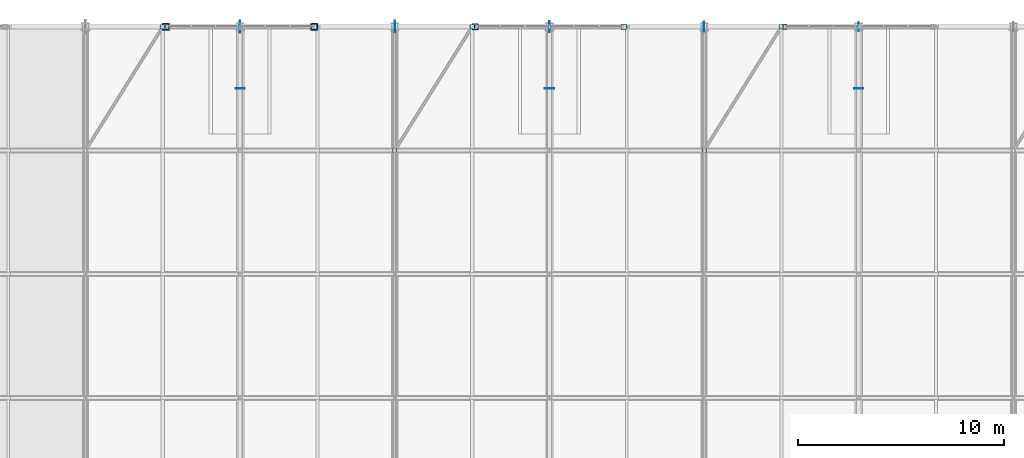
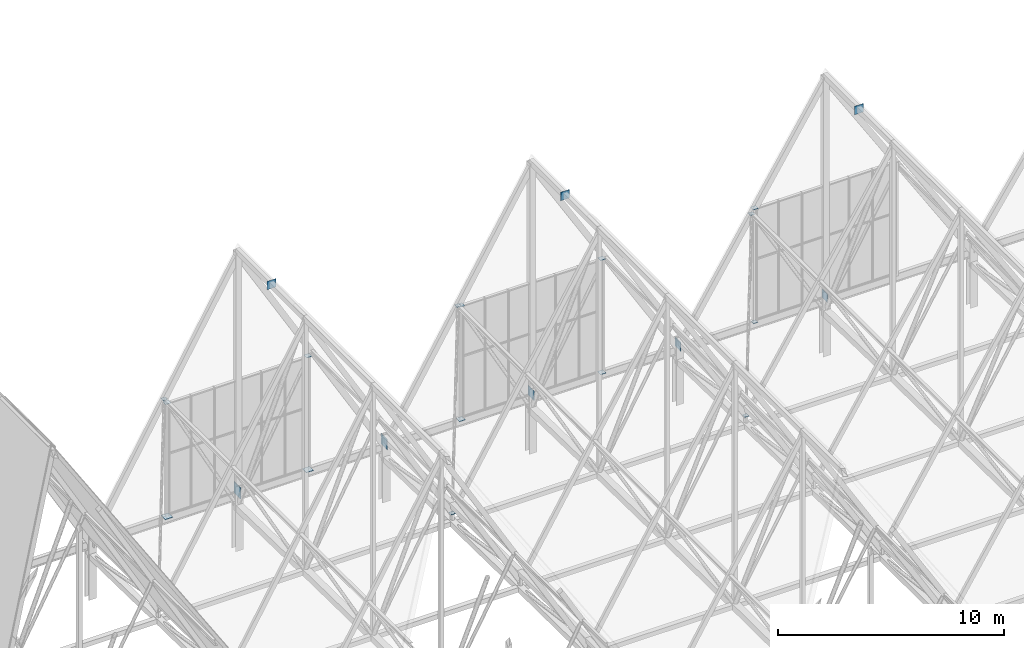
# One storey, part 302 of 324: 23 plates.
"""IFC4 building model written with IfcOpenShell, lengths in metres."""

from ifc_helpers import new_model, si_unit, direction, frame, origin, origin_2d, place, context, subcontext, project, spatial, rectangle, extrude, material, layer, layer_set, type_object, element, save


model = new_model("IFC4")

# Units and contexts
model_context = context("Model", 3, precision=1e-05, world=origin(), true_north=direction((0.0, 1.0)))
body_context = subcontext(model_context, "Body", "Model", "MODEL_VIEW")
ifc_project = project(units=[si_unit("LENGTHUNIT", "METRE"), si_unit("AREAUNIT", "SQUARE_METRE"), si_unit("VOLUMEUNIT", "CUBIC_METRE"), si_unit("PLANEANGLEUNIT", "RADIAN"), si_unit("MASSUNIT", "GRAM", prefix="KILO")], contexts=[model_context])

# Site, building, storey
site_placement = place(None, origin())
site = spatial("IfcSite", under=ifc_project, at=site_placement, CompositionType="ELEMENT")
building_placement = place(site_placement, origin())
building = spatial("IfcBuilding", under=site, at=building_placement, Name="Solvenia Promenade Tram Depot", CompositionType="ELEMENT")
storey_placement = place(building_placement, frame((0.0, 0.0, 4.5)))
storey = spatial("IfcBuildingStorey", under=building, at=storey_placement, Name="L01", CompositionType="ELEMENT", Elevation=4.5)

# Plates
ifc_material = material(Name="Structural steel ASTM A572 Gr. 50", Category="steel")
ifc_layer_1 = layer(ifc_material, 0.013916015625, Name="Structural steel ASTM A572 Gr. 50", Category="steel")
ifc_layer_set_1 = layer_set([ifc_layer_1], Name="Structural steel ASTM A572 Gr. 50")
plate_type_1 = type_object("IfcPlateType", Name="EndCap-CP10", PredefinedType="SHEET", material=ifc_layer_set_1)
plate_1_placement = place(storey_placement, frame((123.89990234375, 126.0, 2.9931640625), z_axis=(0.0, 0.0, 1.0), x_axis=(1.0, 0.0, 0.0)))
element("IfcPlate", 1, at=plate_1_placement, inside=storey, type_object=plate_type_1, Name="Gable Jamb Bottom Cap Plate 033", PredefinedType="SHEET", context=body_context, shape_type="SweptSolid", body=[
    extrude(rectangle(XDim=0.219970703125, YDim=0.219970703125, at=origin_2d()), origin(), (0.0, 0.0, 1.0), 0.013916015625),
])
ifc_layer_2 = layer(ifc_material, 0.02197265625, Name="Structural steel ASTM A572 Gr. 50", Category="steel")
ifc_layer_set_2 = layer_set([ifc_layer_2], Name="Structural steel ASTM A572 Gr. 50")
plate_type_2 = type_object("IfcPlateType", Name="EndCap-CP2", PredefinedType="SHEET", material=ifc_layer_set_2)
plate_2_placement = place(storey_placement, frame((93.89990234375, 126.0, 2.989013671875), z_axis=(0.0, 0.0, 1.0), x_axis=(1.0, 0.0, 0.0)))
element("IfcPlate", 2, at=plate_2_placement, inside=storey, type_object=plate_type_2, Name="Gable Jamb Bottom Cap Plate 025", PredefinedType="SHEET", context=body_context, shape_type="SweptSolid", body=[
    extrude(rectangle(XDim=0.3798828125, YDim=0.3798828125, at=origin_2d()), origin(), (0.0, 0.0, 1.0), 0.02197265625),
])
ifc_layer_3 = layer(ifc_material, 0.02099609375, Name="Structural steel ASTM A572 Gr. 50", Category="steel")
ifc_layer_set_3 = layer_set([ifc_layer_3], Name="Structural steel ASTM A572 Gr. 50")
plate_type_3 = type_object("IfcPlateType", Name="EndCap-CP3", PredefinedType="SHEET", material=ifc_layer_set_3)
plate_3_placement = place(storey_placement, frame((101.10009765625, 126.0, 2.989501953125), z_axis=(0.0, 0.0, 1.0), x_axis=(1.0, 0.0, 0.0)))
element("IfcPlate", 3, at=plate_3_placement, inside=storey, type_object=plate_type_3, Name="Gable Jamb Bottom Cap Plate 026", PredefinedType="SHEET", context=body_context, shape_type="SweptSolid", body=[
    extrude(rectangle(XDim=0.360107421875, YDim=0.360107421875, at=origin_2d()), origin(), (0.0, 0.0, 1.0), 0.02099609375),
])
ifc_layer_4 = layer(ifc_material, 0.02001953125, Name="Structural steel ASTM A572 Gr. 50", Category="steel")
ifc_layer_set_4 = layer_set([ifc_layer_4], Name="Structural steel ASTM A572 Gr. 50")
plate_type_4 = type_object("IfcPlateType", Name="EndCap-CP4", PredefinedType="SHEET", material=ifc_layer_set_4)
for number, where, z_axis, x_axis, name in (
    (4, (93.89990234375, 126.0, 9.141845703125), (0.0, 0.0, 1.0), (1.0, 0.0, 0.0), "Gable Jamb Top Cap Plate 025"),
    (5, (101.10009765625, 126.0, 9.141845703125), (0.0, 0.0, 1.0), (1.0, 0.0, 0.0), "Gable Jamb Top Cap Plate 026"),
    (6, (108.89990234375, 126.0, 9.141845703125), (0.0, 0.0, 1.0), (1.0, 0.0, 0.0), "Gable Jamb Top Cap Plate 029"),
    (7, (116.10009765625, 126.0, 9.141845703125), (0.0, 0.0, 1.0), (1.0, 0.0, 0.0), "Gable Jamb Top Cap Plate 030"),
    (8, (123.89990234375, 126.0, 9.141845703125), (0.0, 0.0, 1.0), (1.0, 0.0, 0.0), "Gable Jamb Top Cap Plate 033"),
):
    element("IfcPlate", number, at=place(storey_placement, frame(where, z_axis=z_axis, x_axis=x_axis)), inside=storey, type_object=plate_type_4, Name=name, PredefinedType="SHEET", context=body_context, shape_type="SweptSolid", body=[
        extrude(rectangle(XDim=0.260009765625, YDim=0.260009765625, at=origin_2d()), origin(), (0.0, 0.0, 1.0), 0.01611328125),
    ])
ifc_layer_5 = layer(ifc_material, 0.01904296875, Name="Structural steel ASTM A572 Gr. 50", Category="steel")
ifc_layer_set_5 = layer_set([ifc_layer_5], Name="Structural steel ASTM A572 Gr. 50")
plate_type_5 = type_object("IfcPlateType", Name="EndCap-CP5", PredefinedType="SHEET", material=ifc_layer_set_5)
for number, where, z_axis, x_axis, name in (
    (9, (93.75, 126.0, 9.380615234375), (0.0, 0.0, 1.0), (1.0, 0.0, 0.0), "Roof Brace Node Plate 014B"),
    (10, (105.0, 120.0, 2.920654296875), (0.0, 0.0, 1.0), (1.0, 0.0, 0.0), "Roof Brace Node Plate 016A"),
    (11, (108.75, 126.0, 9.169189453125), (0.0, 0.0, 1.0), (1.0, 0.0, 0.0), "Roof Brace Node Plate 016B"),
    (12, (120.0, 120.0, 2.93310546875), (0.0, 0.0, 1.0), (1.0, 0.0, 0.0), "Roof Brace Node Plate 018A"),
    (13, (123.75, 126.0, 8.878173828125), (0.0, 0.0, 1.0), (1.0, 0.0, 0.0), "Roof Brace Node Plate 018B"),
):
    element("IfcPlate", number, at=place(storey_placement, frame(where, z_axis=z_axis, x_axis=x_axis)), inside=storey, type_object=plate_type_5, Name=name, PredefinedType="SHEET", context=body_context, shape_type="SweptSolid", body=[
        extrude(rectangle(XDim=0.219970703125, YDim=0.219970703125, at=origin_2d()), origin(), (0.0, 0.0, 1.0), 0.01904296875),
    ])
ifc_layer_6 = layer(ifc_material, 0.01806640625, Name="Structural steel ASTM A572 Gr. 50", Category="steel")
ifc_layer_set_6 = layer_set([ifc_layer_6], Name="Structural steel ASTM A572 Gr. 50")
plate_type_6 = type_object("IfcPlateType", Name="EndCap-CP6", PredefinedType="SHEET", material=ifc_layer_set_6)
plate_4_placement = place(storey_placement, frame((108.89990234375, 126.0, 2.990966796875), z_axis=(0.0, 0.0, 1.0), x_axis=(1.0, 0.0, 0.0)))
element("IfcPlate", 14, at=plate_4_placement, inside=storey, type_object=plate_type_6, Name="Gable Jamb Bottom Cap Plate 029", PredefinedType="SHEET", context=body_context, shape_type="SweptSolid", body=[
    extrude(rectangle(XDim=0.300048828125, YDim=0.300048828125, at=origin_2d()), origin(), (0.0, 0.0, 1.0), 0.01806640625),
])
ifc_layer_7 = layer(ifc_material, 0.01708984375, Name="Structural steel ASTM A572 Gr. 50", Category="steel")
ifc_layer_set_7 = layer_set([ifc_layer_7], Name="Structural steel ASTM A572 Gr. 50")
plate_type_7 = type_object("IfcPlateType", Name="EndCap-CP7", PredefinedType="SHEET", material=ifc_layer_set_7)
plate_5_placement = place(storey_placement, frame((116.10009765625, 126.0, 2.991455078125), z_axis=(0.0, 0.0, 1.0), x_axis=(1.0, 0.0, 0.0)))
element("IfcPlate", 15, at=plate_5_placement, inside=storey, type_object=plate_type_7, Name="Gable Jamb Bottom Cap Plate 030", PredefinedType="SHEET", context=body_context, shape_type="SweptSolid", body=[
    extrude(rectangle(XDim=0.280029296875, YDim=0.280029296875, at=origin_2d()), origin(), (0.0, 0.0, 1.0), 0.01708984375),
])
ifc_layer_8 = layer(ifc_material, 0.02490234375, Name="Structural steel ASTM A572 Gr. 50", Category="steel")
ifc_layer_set_8 = layer_set([ifc_layer_8], Name="Structural steel ASTM A572 Gr. 50")
plate_type_8 = type_object("IfcPlateType", Name="Gusset-GP3", PredefinedType="USERDEFINED", material=ifc_layer_set_8)
plate_6_placement = place(storey_placement, frame((97.5, 126.0, 2.849853515625), z_axis=(0.0, 0.0, 1.0), x_axis=(1.0, 0.0, 0.0)))
element("IfcPlate", 16, at=plate_6_placement, inside=storey, type_object=plate_type_8, Name="Arched Truss Shoe Gusset 14N", ObjectType="GUSSET PLATE", PredefinedType="USERDEFINED", context=body_context, shape_type="SweptSolid", body=[
    extrude(rectangle(XDim=0.02490234375, YDim=0.60009765625, at=origin_2d()), origin(), (0.0, 0.0, 1.0), 0.60009765625),
])
ifc_layer_9 = layer(ifc_material, 0.02392578125, Name="Structural steel ASTM A572 Gr. 50", Category="steel")
ifc_layer_set_9 = layer_set([ifc_layer_9], Name="Structural steel ASTM A572 Gr. 50")
plate_type_9 = type_object("IfcPlateType", Name="Gusset-GP4", PredefinedType="USERDEFINED", material=ifc_layer_set_9)
plate_7_placement = place(storey_placement, frame((97.5, 123.0, 15.86279296875), z_axis=(0.0, 0.0, 1.0), x_axis=(1.0, 0.0, 0.0)))
element("IfcPlate", 17, at=plate_7_placement, inside=storey, type_object=plate_type_9, Name="Ridge Node Gusset T14-S10", ObjectType="GUSSET PLATE", PredefinedType="USERDEFINED", context=body_context, shape_type="SweptSolid", body=[
    extrude(rectangle(XDim=0.449951171875, YDim=0.02001953125, at=origin_2d()), origin(), (0.0, 0.0, 1.0), 0.449951171875),
])
plate_8_placement = place(storey_placement, frame((105.0, 126.0, 2.869873046875), z_axis=(0.0, 0.0, 1.0), x_axis=(1.0, 0.0, 0.0)))
element("IfcPlate", 18, at=plate_8_placement, inside=storey, type_object=plate_type_9, Name="Arched Truss Shoe Gusset 15N", ObjectType="GUSSET PLATE", PredefinedType="USERDEFINED", context=body_context, shape_type="SweptSolid", body=[
    extrude(rectangle(XDim=0.02392578125, YDim=0.56005859375, at=origin_2d()), origin(), (0.0, 0.0, 1.0), 0.56005859375),
])
for number, where, z_axis, x_axis, name in (
    (19, (112.5, 123.0, 15.421875), (0.0, 0.0, 1.0), (1.0, 0.0, 0.0), "Ridge Node Gusset T16-S10"),
    (20, (127.5, 123.0, 14.81494140625), (0.0, 0.0, 1.0), (1.0, 0.0, 0.0), "Ridge Node Gusset T18-S10"),
):
    element("IfcPlate", number, at=place(storey_placement, frame(where, z_axis=z_axis, x_axis=x_axis)), inside=storey, type_object=plate_type_9, Name=name, ObjectType="GUSSET PLATE", PredefinedType="USERDEFINED", context=body_context, shape_type="SweptSolid", body=[
        extrude(rectangle(XDim=0.449951171875, YDim=0.02001953125, at=origin_2d()), origin(), (0.0, 0.0, 1.0), 0.449951171875),
    ])
ifc_layer_10 = layer(ifc_material, 0.02197265625, Name="Structural steel ASTM A572 Gr. 50", Category="steel")
ifc_layer_set_10 = layer_set([ifc_layer_10], Name="Structural steel ASTM A572 Gr. 50")
plate_type_10 = type_object("IfcPlateType", Name="Gusset-GP5", PredefinedType="USERDEFINED", material=ifc_layer_set_10)
plate_9_placement = place(storey_placement, frame((112.5, 126.0, 2.889892578125), z_axis=(0.0, 0.0, 1.0), x_axis=(1.0, 0.0, 0.0)))
element("IfcPlate", 21, at=plate_9_placement, inside=storey, type_object=plate_type_10, Name="Arched Truss Shoe Gusset 16N", ObjectType="GUSSET PLATE", PredefinedType="USERDEFINED", context=body_context, shape_type="SweptSolid", body=[
    extrude(rectangle(XDim=0.02197265625, YDim=0.52001953125, at=origin_2d()), origin(), (0.0, 0.0, 1.0), 0.52001953125),
])
ifc_layer_11 = layer(ifc_material, 0.02099609375, Name="Structural steel ASTM A572 Gr. 50", Category="steel")
ifc_layer_set_11 = layer_set([ifc_layer_11], Name="Structural steel ASTM A572 Gr. 50")
plate_type_11 = type_object("IfcPlateType", Name="Gusset-GP6", PredefinedType="USERDEFINED", material=ifc_layer_set_11)
plate_10_placement = place(storey_placement, frame((120.0, 126.0, 2.909912109375), z_axis=(0.0, 0.0, 1.0), x_axis=(1.0, 0.0, 0.0)))
element("IfcPlate", 22, at=plate_10_placement, inside=storey, type_object=plate_type_11, Name="Arched Truss Shoe Gusset 17N", ObjectType="GUSSET PLATE", PredefinedType="USERDEFINED", context=body_context, shape_type="SweptSolid", body=[
    extrude(rectangle(XDim=0.02099609375, YDim=0.47998046875, at=origin_2d()), origin(), (0.0, 0.0, 1.0), 0.47998046875),
])
ifc_layer_12 = layer(ifc_material, 0.02001953125, Name="Structural steel ASTM A572 Gr. 50", Category="steel")
ifc_layer_set_12 = layer_set([ifc_layer_12], Name="Structural steel ASTM A572 Gr. 50")
plate_type_12 = type_object("IfcPlateType", Name="Gusset-GP7", PredefinedType="USERDEFINED", material=ifc_layer_set_12)
plate_11_placement = place(storey_placement, frame((127.5, 126.0, 2.9248046875), z_axis=(0.0, 0.0, 1.0), x_axis=(1.0, 0.0, 0.0)))
element("IfcPlate", 23, at=plate_11_placement, inside=storey, type_object=plate_type_12, Name="Arched Truss Shoe Gusset 18N", ObjectType="GUSSET PLATE", PredefinedType="USERDEFINED", context=body_context, shape_type="SweptSolid", body=[
    extrude(rectangle(XDim=0.02001953125, YDim=0.449951171875, at=origin_2d()), origin(), (0.0, 0.0, 1.0), 0.449951171875),
])

save(model, "model.ifc")
